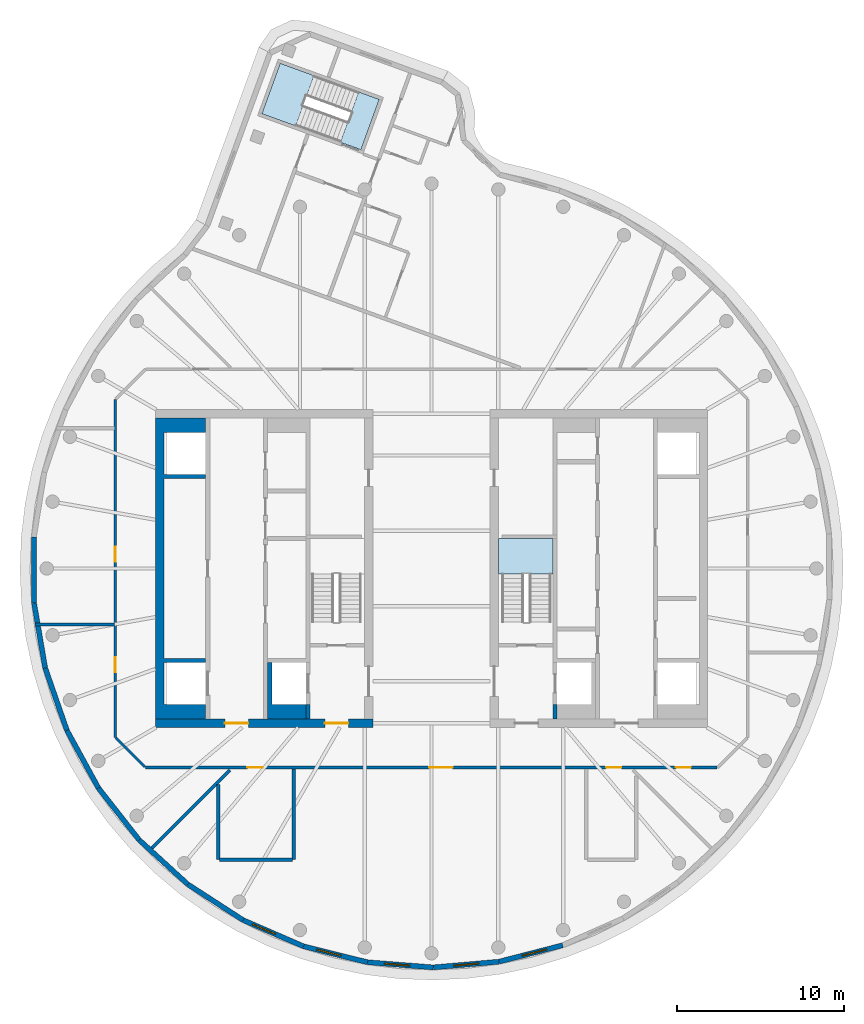
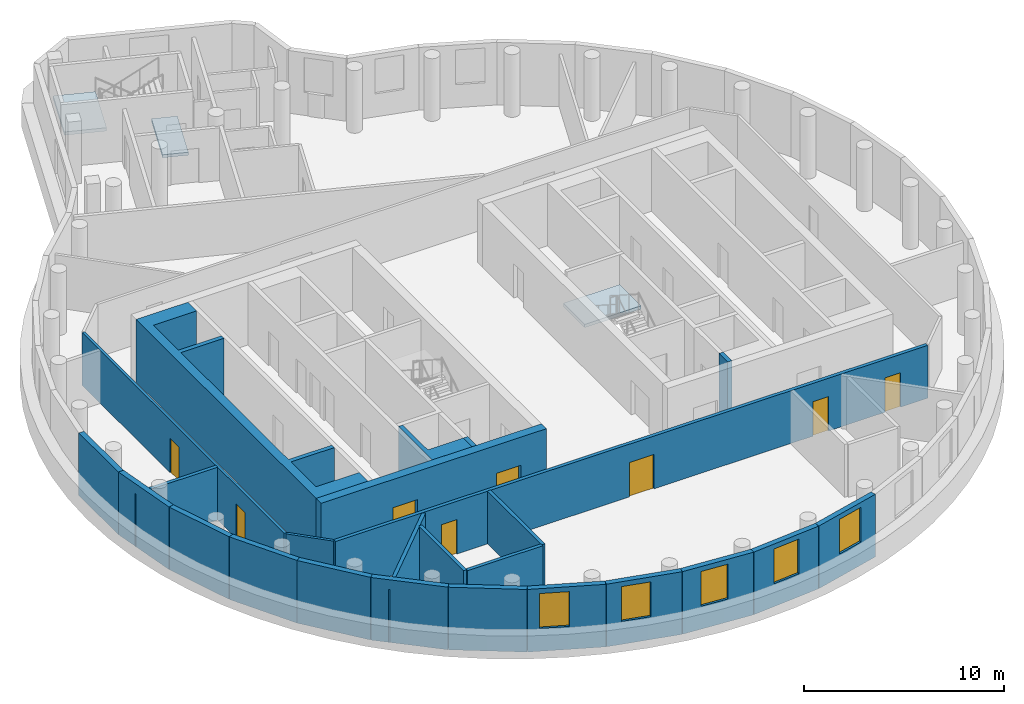
# One storey, part 2 of 7: 25 walls, 8 doors, 5 windows, 3 slabs, 13 openings, 2 elements without a shape of their own.
"""IFC4 building model written with IfcOpenShell, lengths in metres."""

from ifc_helpers import new_model, si_unit, direction, frame, frame_2d, origin, place, context, subcontext, project, spatial, polyline, rectangle, outline, extrude, material, layer, layer_set, type_object, element, fill, aggregate, save


model = new_model("IFC4")

# Units and contexts
model_context = context("Model", 3, precision=1e-05, world=origin(), true_north=direction((0.0, 1.0)))
body_context = subcontext(model_context, "Body", "Model", "MODEL_VIEW")
ifc_project = project(units=[si_unit("LENGTHUNIT", "METRE"), si_unit("AREAUNIT", "SQUARE_METRE"), si_unit("VOLUMEUNIT", "CUBIC_METRE"), si_unit("PLANEANGLEUNIT", "RADIAN"), si_unit("MASSUNIT", "GRAM", prefix="KILO")], contexts=[model_context])

# Site, building, storey
site_placement = place(None, origin())
site = spatial("IfcSite", under=ifc_project, at=site_placement, CompositionType="ELEMENT")
building_placement = place(site_placement, origin())
building = spatial("IfcBuilding", under=site, at=building_placement, Name="Tamarind Cross Interchange Tower", CompositionType="ELEMENT")
storey_placement = place(building_placement, frame((0.0, 0.0, 305.39990234375)))
storey = spatial("IfcBuildingStorey", under=building, at=storey_placement, Name="L75", CompositionType="ELEMENT", Elevation=305.39990234375)

# Slab
ifc_material_1 = material(Name="Concrete C40", Category="concrete")
ifc_layer_1 = layer(ifc_material_1, 0.179931640625)
ifc_layer_set_1 = layer_set([ifc_layer_1], Name="Concrete C40")
slab_type_1 = type_object("IfcSlabType", Name="Composite slab 180 Concrete C40", PredefinedType="FLOOR", material=ifc_layer_set_1)
slab_1_placement = place(storey_placement, frame((0.0, 0.0, -0.179931640625)))
element("IfcSlab", 1, at=slab_1_placement, inside=storey, type_object=slab_type_1, Name="Floor slab L75", PredefinedType="FLOOR", context=body_context, shape_type="SweptSolid", body=[
    extrude(outline(polyline([(-4.358154296875, 28.481201171875), (-5.45263671875, 25.47412109375), (-4.2197265625, 25.025634765625), (-3.125244140625, 28.03271484375), (-4.358154296875, 28.481201171875)])), origin(), (0.0, 0.0, 1.0), 0.179931640625),
])

# Stair, slab
ifc_material_2 = material(Name="Exit stair")
stair_type = type_object("IfcStairType", Name="Exit stair", PredefinedType="HALF_TURN_STAIR", material=ifc_material_2)
stair_1_placement = place(storey_placement, origin())
stair_1 = element("IfcStair", 2, at=stair_1_placement, inside=storey, type_object=stair_type, Name="L75 exit stair ST2", PredefinedType="HALF_TURN_STAIR")
ifc_layer_2 = layer(ifc_material_1, 0.199951171875)
ifc_layer_set_2 = layer_set([ifc_layer_2], Name="Concrete C40")
slab_type_2 = type_object("IfcSlabType", Name="Stair landing", PredefinedType="LANDING", material=ifc_layer_set_2)
slab_2_placement = place(storey_placement, frame((0.0, 0.0, 1.800048828125)))
slab_2 = element("IfcSlab", 3, at=slab_2_placement, type_object=slab_type_2, Name="ST2 landing 1", PredefinedType="LANDING", context=body_context, shape_type="SweptSolid", body=[
    extrude(outline(polyline([(7.25, -0.340087890625), (7.25, 1.800048828125), (4.0, 1.800048828125), (4.0, -0.340087890625), (7.25, -0.340087890625)])), origin(), (0.0, 0.0, 1.0), 0.199951171875),
])
aggregate(stair_1, [slab_2])

stair_2_placement = place(storey_placement, origin())
stair_2 = element("IfcStair", 4, at=stair_2_placement, inside=storey, type_object=stair_type, Name="L75 exit stair ST4", PredefinedType="HALF_TURN_STAIR")
slab_3_placement = place(storey_placement, frame((0.0, 0.0, 1.800048828125)))
slab_3 = element("IfcSlab", 5, at=slab_3_placement, type_object=slab_type_2, Name="ST4 landing 1", PredefinedType="LANDING", context=body_context, shape_type="SweptSolid", body=[
    extrude(outline(polyline([(-7.023193359375, 29.451171875), (-9.04541015625, 30.187255859375), (-10.139892578125, 27.18017578125), (-8.11767578125, 26.444091796875), (-7.023193359375, 29.451171875)])), origin(), (0.0, 0.0, 1.0), 0.199951171875),
])
aggregate(stair_2, [slab_3])

# Wall, openings, doors
ifc_material_3 = material(Name="Concrete C50", Category="concrete")
ifc_layer_3 = layer(ifc_material_3, 0.5)
ifc_layer_set_3 = layer_set([ifc_layer_3], Name="Concrete C50")
wall_type_1 = type_object("IfcWallType", Name="Core wall 500 mm Concrete C50", PredefinedType="SHEAR", material=ifc_layer_set_3)
wall_1_placement = place(storey_placement, frame((-16.5, -9.25, 0.0), z_axis=(0.0, 0.0, 1.0), x_axis=(1.0, 0.0, 0.0)))
wall_1 = element("IfcWall", 6, at=wall_1_placement, inside=storey, type_object=wall_type_1, Name="Core wall CWL-L75-W-S", PredefinedType="SHEAR", context=body_context, shape_type="SweptSolid", body=[
    extrude(rectangle(XDim=13.0, YDim=0.5, at=frame_2d((6.5, 0.0))), origin(), (0.0, 0.0, 1.0), 3.820068359375),
])
opening_1_placement = place(wall_1_placement, frame((4.14990234375, 0.0, 0.0)))
opening_1 = element("IfcOpeningElement", 7, at=opening_1_placement, cuts=wall_1, Name="Opening DCW1", PredefinedType="OPENING", context=body_context, shape_type="SweptSolid", body=[
    extrude(rectangle(XDim=1.39990234375, YDim=2.10009765625, at=frame_2d((0.699951171875, 1.050048828125))), frame((0.0, 0.260009765625, 0.0), z_axis=(0.0, -1.0, 0.0), x_axis=(1.0, 0.0, 0.0)), (0.0, 0.0, 1.0), 0.52001953125),
])
opening_2_placement = place(wall_1_placement, frame((10.125, 0.0, 0.0)))
opening_2 = element("IfcOpeningElement", 8, at=opening_2_placement, cuts=wall_1, Name="Opening DCWF", PredefinedType="OPENING", context=body_context, shape_type="SweptSolid", body=[
    extrude(rectangle(XDim=1.39990234375, YDim=2.10009765625, at=frame_2d((0.699951171875, 1.050048828125))), frame((0.0, 0.260009765625, 0.0), z_axis=(0.0, -1.0, 0.0), x_axis=(1.0, 0.0, 0.0)), (0.0, 0.0, 1.0), 0.52001953125),
])
ifc_material_4 = material(Name="Steel, fire-resisting", Category="steel")
door_type_1 = type_object("IfcDoorType", Name="Core fire door 1400 x 2100 FD90", OperationType="SINGLE_SWING_LEFT", PredefinedType="DOOR", material=ifc_material_4)
door_1_placement = place(opening_1_placement, origin())
door_1 = element("IfcDoor", 9, at=door_1_placement, inside=storey, type_object=door_type_1, Name="L75 lift lobby door", OperationType="SINGLE_SWING_LEFT", OverallHeight=2.10009765625, OverallWidth=1.39990234375, PredefinedType="DOOR", context=body_context, shape_type="SweptSolid", body=[
    extrude(rectangle(XDim=1.39990234375, YDim=2.10009765625, at=frame_2d((0.699951171875, 1.050048828125))), frame((0.0, 0.02490234375, 0.0), z_axis=(0.0, -1.0, 0.0), x_axis=(1.0, 0.0, 0.0)), (0.0, 0.0, 1.0), 0.050048828125),
])
fill(opening_1, door_1)
door_2_placement = place(opening_2_placement, origin())
door_2 = element("IfcDoor", 10, at=door_2_placement, inside=storey, type_object=door_type_1, Name="L75 firefighting lobby end door", OperationType="SINGLE_SWING_LEFT", OverallHeight=2.10009765625, OverallWidth=1.39990234375, PredefinedType="DOOR", context=body_context, shape_type="SweptSolid", body=[
    extrude(rectangle(XDim=1.39990234375, YDim=2.10009765625, at=frame_2d((0.699951171875, 1.050048828125))), frame((0.0, 0.02490234375, 0.0), z_axis=(0.0, -1.0, 0.0), x_axis=(1.0, 0.0, 0.0)), (0.0, 0.0, 1.0), 0.050048828125),
])
fill(opening_2, door_2)

# Walls
wall_2_placement = place(storey_placement, origin())
element("IfcWall", 11, at=wall_2_placement, inside=storey, type_object=wall_type_1, Name="Core wall CWL-L75-W-A", PredefinedType="SHEAR", context=body_context, shape_type="SweptSolid", body=[
    extrude(outline(polyline([(-13.5, -8.125), (-16.0, -8.125), (-16.0, -5.625), (-13.5, -5.625), (-13.5, -5.375), (-16.0, -5.375), (-16.0, 5.375), (-13.5, 5.375), (-13.5, 5.625), (-16.0, 5.625), (-16.0, 8.125), (-13.5, 8.125), (-13.5, 9.0), (-16.0, 9.0), (-16.5, 9.0), (-16.5, -9.0), (-16.0, -9.0), (-13.5, -9.0), (-13.5, -8.125)])), origin(), (0.0, 0.0, 1.0), 3.820068359375),
])
ifc_layer_4 = layer(ifc_material_3, 0.25)
ifc_layer_set_4 = layer_set([ifc_layer_4], Name="Concrete C50")
wall_type_2 = type_object("IfcWallType", Name="Core web wall 250 mm Concrete C50", PredefinedType="SHEAR", material=ifc_layer_set_4)
wall_3_placement = place(storey_placement, origin())
element("IfcWall", 12, at=wall_3_placement, inside=storey, type_object=wall_type_2, Name="Core wall CWL-L75-W-BS", PredefinedType="SHEAR", context=body_context, shape_type="SweptSolid", body=[
    extrude(outline(polyline([(-7.5, -8.125), (-9.550048828125, -8.125), (-9.550048828125, -5.625), (-9.800048828125, -5.625), (-9.800048828125, -8.125), (-9.800048828125, -9.0), (-7.5, -9.0), (-7.5, -8.125)])), origin(), (0.0, 0.0, 1.0), 3.820068359375),
])
for number, where, z_axis, x_axis, name in (
    (13, (-7.375, -9.0, 0.0), (0.0, 0.0, 1.0), (0.0, 1.0, 0.0), "Core wall CWL-L75-W-BW"),
    (14, (7.375, -9.0, 0.0), (0.0, 0.0, 1.0), (0.0, 1.0, 0.0), "Core wall CWL-L75-E-BW"),
):
    element("IfcWall", number, at=place(storey_placement, frame(where, z_axis=z_axis, x_axis=x_axis)), inside=storey, type_object=wall_type_2, Name=name, PredefinedType="SHEAR", context=body_context, shape_type="SweptSolid", body=[
        extrude(rectangle(XDim=0.875, YDim=0.25, at=frame_2d((0.4375, 0.0))), origin(), (0.0, 0.0, 1.0), 3.820068359375),
    ])
ifc_material_5 = material(Name="Gypsum board partition on steel studs", Category="steel")
ifc_layer_5 = layer(ifc_material_5, 0.14990234375)
ifc_layer_set_5 = layer_set([ifc_layer_5], Name="Gypsum board partition on steel studs")
wall_type_3 = type_object("IfcWallType", Name="Partition 150 mm EI 120", PredefinedType="PARTITIONING", material=ifc_layer_set_5)
wall_4_placement = place(storey_placement, frame((-18.87158203125, -10.12841796875, 0.0), z_axis=(0.0, 0.0, 1.0), x_axis=(0.707106781187, -0.707106781187, 0.0)))
element("IfcWall", 15, at=wall_4_placement, inside=storey, type_object=wall_type_3, Name="Partition L75-001", PredefinedType="PARTITIONING", context=body_context, shape_type="SweptSolid", body=[
    extrude(rectangle(XDim=2.455078125, YDim=0.14990234375, at=frame_2d((1.2275390625, 0.0))), origin(), (0.0, 0.0, 1.0), 3.22021484375),
])

# Wall, openings, doors
wall_5_placement = place(storey_placement, frame((-18.89990234375, -10.10009765625, 0.0), z_axis=(0.0, 0.0, 1.0), x_axis=(0.0, 1.0, 0.0)))
wall_5 = element("IfcWall", 16, at=wall_5_placement, inside=storey, type_object=wall_type_3, Name="Partition L75-032", PredefinedType="PARTITIONING", context=body_context, shape_type="SweptSolid", body=[
    extrude(rectangle(XDim=20.2001953125, YDim=0.14990234375, at=frame_2d((10.10009765625, 0.0))), origin(), (0.0, 0.0, 1.0), 3.22021484375),
])
opening_3_placement = place(wall_5_placement, frame((3.89990234375, 0.0, 0.0)))
opening_3 = element("IfcOpeningElement", 17, at=opening_3_placement, cuts=wall_5, Name="Opening D16", PredefinedType="OPENING", context=body_context, shape_type="SweptSolid", body=[
    extrude(rectangle(XDim=0.89990234375, YDim=2.10009765625, at=frame_2d((0.449951171875, 1.050048828125))), frame((0.0, 0.0849609375, 0.0), z_axis=(0.0, -1.0, 0.0), x_axis=(1.0, 0.0, 0.0)), (0.0, 0.0, 1.0), 0.169921875),
])
opening_4_placement = place(wall_5_placement, frame((10.501953125, 0.0, 0.0)))
opening_4 = element("IfcOpeningElement", 18, at=opening_4_placement, cuts=wall_5, Name="Opening D17", PredefinedType="OPENING", context=body_context, shape_type="SweptSolid", body=[
    extrude(rectangle(XDim=0.89990234375, YDim=2.10009765625, at=frame_2d((0.449951171875, 1.050048828125))), frame((0.0, 0.0849609375, 0.0), z_axis=(0.0, -1.0, 0.0), x_axis=(1.0, 0.0, 0.0)), (0.0, 0.0, 1.0), 0.169921875),
])
ifc_material_6 = material(Name="Fire-resisting door set")
door_type_2 = type_object("IfcDoorType", Name="Interior door 900 x 2100 FD60S", OperationType="SINGLE_SWING_LEFT", PredefinedType="DOOR", material=ifc_material_6)
door_3_placement = place(opening_3_placement, origin())
door_3 = element("IfcDoor", 19, at=door_3_placement, inside=storey, type_object=door_type_2, Name="Door D16", OperationType="SINGLE_SWING_RIGHT", OverallHeight=2.10009765625, OverallWidth=0.89990234375, PredefinedType="DOOR", context=body_context, shape_type="SweptSolid", body=[
    extrude(rectangle(XDim=0.89990234375, YDim=2.10009765625, at=frame_2d((0.449951171875, 1.050048828125))), frame((0.0, 0.02490234375, 0.0), z_axis=(0.0, -1.0, 0.0), x_axis=(1.0, 0.0, 0.0)), (0.0, 0.0, 1.0), 0.050048828125),
])
fill(opening_3, door_3)
door_4_placement = place(opening_4_placement, origin())
door_4 = element("IfcDoor", 20, at=door_4_placement, inside=storey, type_object=door_type_2, Name="Door D17", OperationType="SINGLE_SWING_LEFT", OverallHeight=2.10009765625, OverallWidth=0.89990234375, PredefinedType="DOOR", context=body_context, shape_type="SweptSolid", body=[
    extrude(rectangle(XDim=0.89990234375, YDim=2.10009765625, at=frame_2d((0.449951171875, 1.050048828125))), frame((0.0, 0.02490234375, 0.0), z_axis=(0.0, -1.0, 0.0), x_axis=(1.0, 0.0, 0.0)), (0.0, 0.0, 1.0), 0.050048828125),
])
fill(opening_4, door_4)

# Wall
ifc_layer_6 = layer(ifc_material_5, 0.199951171875)
ifc_layer_set_6 = layer_set([ifc_layer_6], Name="Gypsum board partition on steel studs")
wall_type_4 = type_object("IfcWallType", Name="Partition 200 mm EI 180", PredefinedType="PARTITIONING", material=ifc_layer_set_6)
wall_6_placement = place(storey_placement, frame((-23.688232421875, -3.347900390625, 0.0), z_axis=(0.0, 0.0, 1.0), x_axis=(1.0, 0.0, 0.0)))
element("IfcWall", 21, at=wall_6_placement, inside=storey, type_object=wall_type_4, Name="Partition L75-012", PredefinedType="PARTITIONING", context=body_context, shape_type="SweptSolid", body=[
    extrude(rectangle(XDim=4.733154296875, YDim=0.199951171875, at=frame_2d((2.36669921875, 0.0))), origin(), (0.0, 0.0, 1.0), 3.22021484375),
])

# Wall, openings, doors
wall_7_placement = place(storey_placement, frame((-17.10009765625, -11.89990234375, 0.0), z_axis=(0.0, 0.0, 1.0), x_axis=(1.0, 0.0, 0.0)))
wall_7 = element("IfcWall", 22, at=wall_7_placement, inside=storey, type_object=wall_type_4, Name="Partition L75-014", PredefinedType="PARTITIONING", context=body_context, shape_type="SweptSolid", body=[
    extrude(rectangle(XDim=34.1650390625, YDim=0.199951171875, at=frame_2d((17.08251953125, 0.0))), origin(), (0.0, 0.0, 1.0), 3.22021484375),
])
opening_5_placement = place(wall_7_placement, frame((6.10009765625, 0.0, 0.0)))
opening_5 = element("IfcOpeningElement", 23, at=opening_5_placement, cuts=wall_7, Name="Opening D04", PredefinedType="OPENING", context=body_context, shape_type="SweptSolid", body=[
    extrude(rectangle(XDim=0.89990234375, YDim=2.10009765625, at=frame_2d((0.449951171875, 1.050048828125))), frame((0.0, 0.10986328125, 0.0), z_axis=(0.0, -1.0, 0.0), x_axis=(1.0, 0.0, 0.0)), (0.0, 0.0, 1.0), 0.219970703125),
])
opening_6_placement = place(wall_7_placement, frame((27.541015625, 0.0, 0.0)))
opening_6 = element("IfcOpeningElement", 24, at=opening_6_placement, cuts=wall_7, Name="Opening D05", PredefinedType="OPENING", context=body_context, shape_type="SweptSolid", body=[
    extrude(rectangle(XDim=0.89990234375, YDim=2.10009765625, at=frame_2d((0.449951171875, 1.050048828125))), frame((0.0, 0.10986328125, 0.0), z_axis=(0.0, -1.0, 0.0), x_axis=(1.0, 0.0, 0.0)), (0.0, 0.0, 1.0), 0.219970703125),
])
opening_7_placement = place(wall_7_placement, frame((16.958984375, 0.0, 0.0)))
opening_7 = element("IfcOpeningElement", 25, at=opening_7_placement, cuts=wall_7, Name="Opening D06", PredefinedType="OPENING", context=body_context, shape_type="SweptSolid", body=[
    extrude(rectangle(XDim=1.39990234375, YDim=2.10009765625, at=frame_2d((0.699951171875, 1.050048828125))), frame((0.0, 0.10986328125, 0.0), z_axis=(0.0, -1.0, 0.0), x_axis=(1.0, 0.0, 0.0)), (0.0, 0.0, 1.0), 0.219970703125),
])
opening_8_placement = place(wall_7_placement, frame((31.699951171875, 0.0, 0.0)))
opening_8 = element("IfcOpeningElement", 26, at=opening_8_placement, cuts=wall_7, Name="Opening D07", PredefinedType="OPENING", context=body_context, shape_type="SweptSolid", body=[
    extrude(rectangle(XDim=0.89990234375, YDim=2.10009765625, at=frame_2d((0.449951171875, 1.050048828125))), frame((0.0, 0.10986328125, 0.0), z_axis=(0.0, -1.0, 0.0), x_axis=(1.0, 0.0, 0.0)), (0.0, 0.0, 1.0), 0.219970703125),
])
door_type_3 = type_object("IfcDoorType", Name="Interior door 1400 x 2100 FD120S", OperationType="DOUBLE_DOOR_SINGLE_SWING", PredefinedType="DOOR", material=ifc_material_6)
door_5_placement = place(opening_7_placement, frame((1.39990234375, 0.0, 0.0), z_axis=(0.0, 0.0, 1.0), x_axis=(-1.0, 0.0, 0.0)))
door_5 = element("IfcDoor", 27, at=door_5_placement, inside=storey, type_object=door_type_3, Name="Door D06", OperationType="DOUBLE_DOOR_SINGLE_SWING", OverallHeight=2.10009765625, OverallWidth=1.39990234375, PredefinedType="DOOR", context=body_context, shape_type="SweptSolid", body=[
    extrude(rectangle(XDim=1.39990234375, YDim=2.10009765625, at=frame_2d((0.699951171875, 1.050048828125))), frame((0.0, 0.02490234375, 0.0), z_axis=(0.0, -1.0, 0.0), x_axis=(1.0, 0.0, 0.0)), (0.0, 0.0, 1.0), 0.050048828125),
])
fill(opening_7, door_5)
door_type_4 = type_object("IfcDoorType", Name="Interior door 900 x 2100 FD120S", OperationType="SINGLE_SWING_LEFT", PredefinedType="DOOR", material=ifc_material_6)
door_6_placement = place(opening_5_placement, frame((0.89990234375, 0.0, 0.0), z_axis=(0.0, 0.0, 1.0), x_axis=(-1.0, 0.0, 0.0)))
door_6 = element("IfcDoor", 28, at=door_6_placement, inside=storey, type_object=door_type_4, Name="Door D04", OperationType="SINGLE_SWING_LEFT", OverallHeight=2.10009765625, OverallWidth=0.89990234375, PredefinedType="DOOR", context=body_context, shape_type="SweptSolid", body=[
    extrude(rectangle(XDim=0.89990234375, YDim=2.10009765625, at=frame_2d((0.449951171875, 1.050048828125))), frame((0.0, 0.02490234375, 0.0), z_axis=(0.0, -1.0, 0.0), x_axis=(1.0, 0.0, 0.0)), (0.0, 0.0, 1.0), 0.050048828125),
])
fill(opening_5, door_6)
door_7_placement = place(opening_6_placement, frame((0.89990234375, 0.0, 0.0), z_axis=(0.0, 0.0, 1.0), x_axis=(-1.0, 0.0, 0.0)))
door_7 = element("IfcDoor", 29, at=door_7_placement, inside=storey, type_object=door_type_4, Name="Door D05", OperationType="SINGLE_SWING_RIGHT", OverallHeight=2.10009765625, OverallWidth=0.89990234375, PredefinedType="DOOR", context=body_context, shape_type="SweptSolid", body=[
    extrude(rectangle(XDim=0.89990234375, YDim=2.10009765625, at=frame_2d((0.449951171875, 1.050048828125))), frame((0.0, 0.02490234375, 0.0), z_axis=(0.0, -1.0, 0.0), x_axis=(1.0, 0.0, 0.0)), (0.0, 0.0, 1.0), 0.050048828125),
])
fill(opening_6, door_7)
door_8_placement = place(opening_8_placement, frame((0.89990234375, 0.0, 0.0), z_axis=(0.0, 0.0, 1.0), x_axis=(-1.0, 0.0, 0.0)))
door_8 = element("IfcDoor", 30, at=door_8_placement, inside=storey, type_object=door_type_4, Name="Door D07", OperationType="SINGLE_SWING_RIGHT", OverallHeight=2.10009765625, OverallWidth=0.89990234375, PredefinedType="DOOR", context=body_context, shape_type="SweptSolid", body=[
    extrude(rectangle(XDim=0.89990234375, YDim=2.10009765625, at=frame_2d((0.449951171875, 1.050048828125))), frame((0.0, 0.02490234375, 0.0), z_axis=(0.0, -1.0, 0.0), x_axis=(1.0, 0.0, 0.0)), (0.0, 0.0, 1.0), 0.050048828125),
])
fill(opening_8, door_8)

# Walls
wall_8_placement = place(storey_placement, frame((-12.660888671875, -17.39990234375, 0.0), z_axis=(0.0, 0.0, 1.0), x_axis=(1.0, 0.0, 0.0)))
element("IfcWall", 31, at=wall_8_placement, inside=storey, type_object=wall_type_4, Name="Partition L75-016", PredefinedType="PARTITIONING", context=body_context, shape_type="SweptSolid", body=[
    extrude(rectangle(XDim=4.33984375, YDim=0.199951171875, at=frame_2d((2.169921875, 0.0))), origin(), (0.0, 0.0, 1.0), 3.22021484375),
])
wall_9_placement = place(storey_placement, frame((-16.927001953125, -16.927001953125, 0.0), z_axis=(0.0, 0.0, 1.0), x_axis=(0.707106781187, 0.707106781187, 0.0)))
element("IfcWall", 32, at=wall_9_placement, inside=storey, type_object=wall_type_4, Name="Partition L75-020", PredefinedType="PARTITIONING", context=body_context, shape_type="SweptSolid", body=[
    extrude(rectangle(XDim=6.894287109375, YDim=0.199951171875, at=frame_2d((3.447265625, 0.0))), origin(), (0.0, 0.0, 1.0), 3.22021484375),
])
wall_10_placement = place(storey_placement, frame((-12.740966796875, -17.39990234375, 0.0), z_axis=(0.0, 0.0, 1.0), x_axis=(0.0, 1.0, 0.0)))
element("IfcWall", 33, at=wall_10_placement, inside=storey, type_object=wall_type_4, Name="Partition L75-033", PredefinedType="PARTITIONING", context=body_context, shape_type="SweptSolid", body=[
    extrude(rectangle(XDim=4.4990234375, YDim=0.199951171875, at=frame_2d((2.24951171875, 0.0))), origin(), (0.0, 0.0, 1.0), 3.22021484375),
])
wall_11_placement = place(storey_placement, frame((-8.240966796875, -17.39990234375, 0.0), z_axis=(0.0, 0.0, 1.0), x_axis=(0.0, 1.0, 0.0)))
element("IfcWall", 34, at=wall_11_placement, inside=storey, type_object=wall_type_4, Name="Partition L75-034", PredefinedType="PARTITIONING", context=body_context, shape_type="SweptSolid", body=[
    extrude(rectangle(XDim=5.419921875, YDim=0.199951171875, at=frame_2d((2.7099609375, 0.0))), origin(), (0.0, 0.0, 1.0), 3.22021484375),
])
ifc_material_7 = material(Name="Precast concrete C40", Category="concrete")
ifc_layer_7 = layer(ifc_material_7, 0.300048828125)
ifc_layer_set_7 = layer_set([ifc_layer_7], Name="Precast concrete C40")
wall_type_5 = type_object("IfcWallType", Name="Plant louvre wall", PredefinedType="SOLIDWALL", material=ifc_layer_set_7)
wall_12_placement = place(storey_placement, frame((-23.772705078125, 1.866943359375, 0.0), z_axis=(0.0, 0.0, 1.0), x_axis=(0.004339160737, -0.999990585798, 0.0)))
element("IfcWall", 35, at=wall_12_placement, inside=storey, type_object=wall_type_5, Name="EXW-L75-02-06", PredefinedType="SOLIDWALL", context=body_context, shape_type="SweptSolid", body=[
    extrude(rectangle(XDim=3.9384765625, YDim=0.300048828125, at=frame_2d((1.96923828125, 0.0))), origin(), (0.0, 0.0, 1.0), 3.820068359375),
])
wall_13_placement = place(storey_placement, frame((-23.755615234375, -2.071533203125, 0.0), z_axis=(0.0, 0.0, 1.0), x_axis=(0.168810670753, -0.985648495885, 0.0)))
element("IfcWall", 36, at=wall_13_placement, inside=storey, type_object=wall_type_5, Name="EXW-L75-02-07", PredefinedType="SOLIDWALL", context=body_context, shape_type="SweptSolid", body=[
    extrude(rectangle(XDim=3.93798828125, YDim=0.300048828125, at=frame_2d((1.968994140625, 0.0))), origin(), (0.0, 0.0, 1.0), 3.820068359375),
])
for number, where, z_axis, x_axis, name in (
    (37, (-23.0908203125, -5.953125, 0.0), (0.0, 0.0, 1.0), (0.328789892836, -0.944403095277, 0.0), "EXW-L75-02-08"),
    (38, (-21.7958984375, -9.672607421875, 0.0), (0.0, 0.0, 1.0), (0.479742253376, -0.877409465601, 0.0), "EXW-L75-02-09"),
):
    element("IfcWall", number, at=place(storey_placement, frame(where, z_axis=z_axis, x_axis=x_axis)), inside=storey, type_object=wall_type_5, Name=name, PredefinedType="SOLIDWALL", context=body_context, shape_type="SweptSolid", body=[
        extrude(rectangle(XDim=3.9384765625, YDim=0.300048828125, at=frame_2d((1.96923828125, 0.0))), origin(), (0.0, 0.0, 1.0), 3.820068359375),
    ])
wall_14_placement = place(storey_placement, frame((-19.906494140625, -13.128173828125, 0.0), z_axis=(0.0, 0.0, 1.0), x_axis=(0.617577851206, -0.786509756901, 0.0)))
element("IfcWall", 39, at=wall_14_placement, inside=storey, type_object=wall_type_5, Name="EXW-L75-02-10", PredefinedType="SOLIDWALL", context=body_context, shape_type="SweptSolid", body=[
    extrude(rectangle(XDim=3.938232421875, YDim=0.300048828125, at=frame_2d((1.96923828125, 0.0))), origin(), (0.0, 0.0, 1.0), 3.820068359375),
])
wall_15_placement = place(storey_placement, frame((-17.474365234375, -16.2255859375, 0.0), z_axis=(0.0, 0.0, 1.0), x_axis=(0.738634435884, -0.674106200926, 0.0)))
element("IfcWall", 40, at=wall_15_placement, inside=storey, type_object=wall_type_5, Name="EXW-L75-02-11", PredefinedType="SOLIDWALL", context=body_context, shape_type="SweptSolid", body=[
    extrude(rectangle(XDim=3.9384765625, YDim=0.300048828125, at=frame_2d((1.96923828125, 0.0))), origin(), (0.0, 0.0, 1.0), 3.820068359375),
])
wall_16_placement = place(storey_placement, frame((-14.565185546875, -18.880615234375, 0.0), z_axis=(0.0, 0.0, 1.0), x_axis=(0.839498632024, -0.54336180104, 0.0)))
element("IfcWall", 41, at=wall_16_placement, inside=storey, type_object=wall_type_5, Name="EXW-L75-02-12", PredefinedType="SOLIDWALL", context=body_context, shape_type="SweptSolid", body=[
    extrude(rectangle(XDim=3.938232421875, YDim=0.300048828125, at=frame_2d((1.96923828125, 0.0))), origin(), (0.0, 0.0, 1.0), 3.820068359375),
])

# Wall, opening, window
wall_17_placement = place(storey_placement, frame((-11.259033203125, -21.0205078125, 0.0), z_axis=(0.0, 0.0, 1.0), x_axis=(0.917505110173, -0.397723990735, 0.0)))
wall_17 = element("IfcWall", 42, at=wall_17_placement, inside=storey, type_object=wall_type_5, Name="EXW-L75-02-13", PredefinedType="SOLIDWALL", context=body_context, shape_type="SweptSolid", body=[
    extrude(rectangle(XDim=3.9384765625, YDim=0.300048828125, at=frame_2d((1.96923828125, 0.0))), origin(), (0.0, 0.0, 1.0), 3.820068359375),
])
opening_9_placement = place(wall_17_placement, frame((0.60009765625, 0.0, 1.39990234375)))
opening_9 = element("IfcOpeningElement", 43, at=opening_9_placement, cuts=wall_17, Name="Opening W2", PredefinedType="OPENING", context=body_context, shape_type="SweptSolid", body=[
    extrude(rectangle(XDim=1.498291015625, YDim=2.1201171875, at=frame_2d((0.7490234375, 1.06005859375))), frame((0.0, 0.159912109375, 0.0), z_axis=(0.0, -1.0, 0.0), x_axis=(1.0, 0.0, 0.0)), (0.0, 0.0, 1.0), 0.320068359375),
])
ifc_material_8 = material(Name="Aluminium louvre", Category="aluminium")
window_type = type_object("IfcWindowType", Name="Plant louvre bank", PartitioningType="SINGLE_PANEL", PredefinedType="WINDOW", material=ifc_material_8)
window_1_placement = place(opening_9_placement, origin())
window_1 = element("IfcWindow", 44, at=window_1_placement, inside=storey, type_object=window_type, Name="WIN-L75-02-13", OverallHeight=2.1201171875, OverallWidth=1.498291015625, PartitioningType="SINGLE_PANEL", PredefinedType="WINDOW", context=body_context, shape_type="SweptSolid", body=[
    extrude(rectangle(XDim=1.498291015625, YDim=2.1201171875, at=frame_2d((0.7490234375, 1.06005859375))), frame((0.0, 0.030029296875, 0.0), z_axis=(0.0, -1.0, 0.0), x_axis=(1.0, 0.0, 0.0)), (0.0, 0.0, 1.0), 0.06005859375),
])
fill(opening_9, window_1)

wall_18_placement = place(storey_placement, frame((-7.6455078125, -22.5869140625, 0.0), z_axis=(0.0, 0.0, 1.0), x_axis=(0.970440788586, -0.241339337547, 0.0)))
wall_18 = element("IfcWall", 45, at=wall_18_placement, inside=storey, type_object=wall_type_5, Name="EXW-L75-02-14", PredefinedType="SOLIDWALL", context=body_context, shape_type="SweptSolid", body=[
    extrude(rectangle(XDim=3.938232421875, YDim=0.300048828125, at=frame_2d((1.96923828125, 0.0))), origin(), (0.0, 0.0, 1.0), 3.820068359375),
])
opening_10_placement = place(wall_18_placement, frame((0.800537109375, 0.0, 1.39990234375)))
opening_10 = element("IfcOpeningElement", 46, at=opening_10_placement, cuts=wall_18, Name="Opening W2", PredefinedType="OPENING", context=body_context, shape_type="SweptSolid", body=[
    extrude(rectangle(XDim=1.508544921875, YDim=2.1201171875, at=frame_2d((0.75439453125, 1.06005859375))), frame((0.0, 0.159912109375, 0.0), z_axis=(0.0, -1.0, 0.0), x_axis=(1.0, 0.0, 0.0)), (0.0, 0.0, 1.0), 0.320068359375),
])
window_2_placement = place(opening_10_placement, origin())
window_2 = element("IfcWindow", 47, at=window_2_placement, inside=storey, type_object=window_type, Name="WIN-L75-02-14", OverallHeight=2.1201171875, OverallWidth=1.508544921875, PartitioningType="SINGLE_PANEL", PredefinedType="WINDOW", context=body_context, shape_type="SweptSolid", body=[
    extrude(rectangle(XDim=1.508544921875, YDim=2.1201171875, at=frame_2d((0.75439453125, 1.06005859375))), frame((0.0, 0.030029296875, 0.0), z_axis=(0.0, -1.0, 0.0), x_axis=(1.0, 0.0, 0.0)), (0.0, 0.0, 1.0), 0.06005859375),
])
fill(opening_10, window_2)

wall_19_placement = place(storey_placement, frame((-3.82373046875, -23.537353515625, 0.0), z_axis=(0.0, 0.0, 1.0), x_axis=(0.996930318741, -0.078293930641, 0.0)))
wall_19 = element("IfcWall", 48, at=wall_19_placement, inside=storey, type_object=wall_type_5, Name="EXW-L75-02-15", PredefinedType="SOLIDWALL", context=body_context, shape_type="SweptSolid", body=[
    extrude(rectangle(XDim=3.9384765625, YDim=0.300048828125, at=frame_2d((1.96923828125, 0.0))), origin(), (0.0, 0.0, 1.0), 3.820068359375),
])
opening_11_placement = place(wall_19_placement, frame((1.0107421875, 0.0, 1.39990234375)))
opening_11 = element("IfcOpeningElement", 49, at=opening_11_placement, cuts=wall_19, Name="Opening W2", PredefinedType="OPENING", context=body_context, shape_type="SweptSolid", body=[
    extrude(rectangle(XDim=1.509033203125, YDim=2.1201171875, at=frame_2d((0.75439453125, 1.06005859375))), frame((0.0, 0.159912109375, 0.0), z_axis=(0.0, -1.0, 0.0), x_axis=(1.0, 0.0, 0.0)), (0.0, 0.0, 1.0), 0.320068359375),
])
window_3_placement = place(opening_11_placement, origin())
window_3 = element("IfcWindow", 50, at=window_3_placement, inside=storey, type_object=window_type, Name="WIN-L75-02-15", OverallHeight=2.1201171875, OverallWidth=1.509033203125, PartitioningType="SINGLE_PANEL", PredefinedType="WINDOW", context=body_context, shape_type="SweptSolid", body=[
    extrude(rectangle(XDim=1.509033203125, YDim=2.1201171875, at=frame_2d((0.75439453125, 1.06005859375))), frame((0.0, 0.030029296875, 0.0), z_axis=(0.0, -1.0, 0.0), x_axis=(1.0, 0.0, 0.0)), (0.0, 0.0, 1.0), 0.06005859375),
])
fill(opening_11, window_3)

wall_20_placement = place(storey_placement, frame((0.1025390625, -23.845703125, 0.0), z_axis=(0.0, 0.0, 1.0), x_axis=(0.99621635874, 0.08690780505, 0.0)))
wall_20 = element("IfcWall", 51, at=wall_20_placement, inside=storey, type_object=wall_type_5, Name="EXW-L75-02-16", PredefinedType="SOLIDWALL", context=body_context, shape_type="SweptSolid", body=[
    extrude(rectangle(XDim=3.9384765625, YDim=0.300048828125, at=frame_2d((1.96923828125, 0.0))), origin(), (0.0, 0.0, 1.0), 3.820068359375),
])
opening_12_placement = place(wall_20_placement, frame((1.22119140625, 0.0, 1.39990234375)))
opening_12 = element("IfcOpeningElement", 52, at=opening_12_placement, cuts=wall_20, Name="Opening W2", PredefinedType="OPENING", context=body_context, shape_type="SweptSolid", body=[
    extrude(rectangle(XDim=1.50927734375, YDim=2.1201171875, at=frame_2d((0.754638671875, 1.06005859375))), frame((0.0, 0.159912109375, 0.0), z_axis=(0.0, -1.0, 0.0), x_axis=(1.0, 0.0, 0.0)), (0.0, 0.0, 1.0), 0.320068359375),
])
window_4_placement = place(opening_12_placement, origin())
window_4 = element("IfcWindow", 53, at=window_4_placement, inside=storey, type_object=window_type, Name="WIN-L75-02-16", OverallHeight=2.1201171875, OverallWidth=1.50927734375, PartitioningType="SINGLE_PANEL", PredefinedType="WINDOW", context=body_context, shape_type="SweptSolid", body=[
    extrude(rectangle(XDim=1.50927734375, YDim=2.1201171875, at=frame_2d((0.754638671875, 1.06005859375))), frame((0.0, 0.030029296875, 0.0), z_axis=(0.0, -1.0, 0.0), x_axis=(1.0, 0.0, 0.0)), (0.0, 0.0, 1.0), 0.06005859375),
])
fill(opening_12, window_4)

wall_21_placement = place(storey_placement, frame((4.026123046875, -23.50341796875, 0.0), z_axis=(0.0, 0.0, 1.0), x_axis=(0.968336809904, 0.24964739651, 0.0)))
wall_21 = element("IfcWall", 54, at=wall_21_placement, inside=storey, type_object=wall_type_5, Name="EXW-L75-02-17", PredefinedType="SOLIDWALL", context=body_context, shape_type="SweptSolid", body=[
    extrude(rectangle(XDim=3.938232421875, YDim=0.300048828125, at=frame_2d((1.96923828125, 0.0))), origin(), (0.0, 0.0, 1.0), 3.820068359375),
])
opening_13_placement = place(wall_21_placement, frame((1.431884765625, 0.0, 1.39990234375)))
opening_13 = element("IfcOpeningElement", 55, at=opening_13_placement, cuts=wall_21, Name="Opening W2", PredefinedType="OPENING", context=body_context, shape_type="SweptSolid", body=[
    extrude(rectangle(XDim=1.509033203125, YDim=2.1201171875, at=frame_2d((0.75439453125, 1.06005859375))), frame((0.0, 0.159912109375, 0.0), z_axis=(0.0, -1.0, 0.0), x_axis=(1.0, 0.0, 0.0)), (0.0, 0.0, 1.0), 0.320068359375),
])
window_5_placement = place(opening_13_placement, origin())
window_5 = element("IfcWindow", 56, at=window_5_placement, inside=storey, type_object=window_type, Name="WIN-L75-02-17", OverallHeight=2.1201171875, OverallWidth=1.509033203125, PartitioningType="SINGLE_PANEL", PredefinedType="WINDOW", context=body_context, shape_type="SweptSolid", body=[
    extrude(rectangle(XDim=1.509033203125, YDim=2.1201171875, at=frame_2d((0.75439453125, 1.06005859375))), frame((0.0, 0.030029296875, 0.0), z_axis=(0.0, -1.0, 0.0), x_axis=(1.0, 0.0, 0.0)), (0.0, 0.0, 1.0), 0.06005859375),
])
fill(opening_13, window_5)

save(model, "model.ifc")
